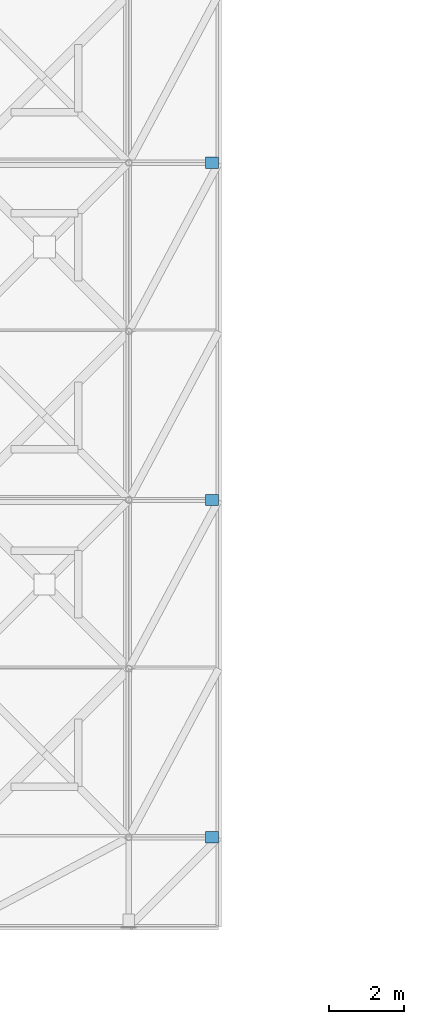
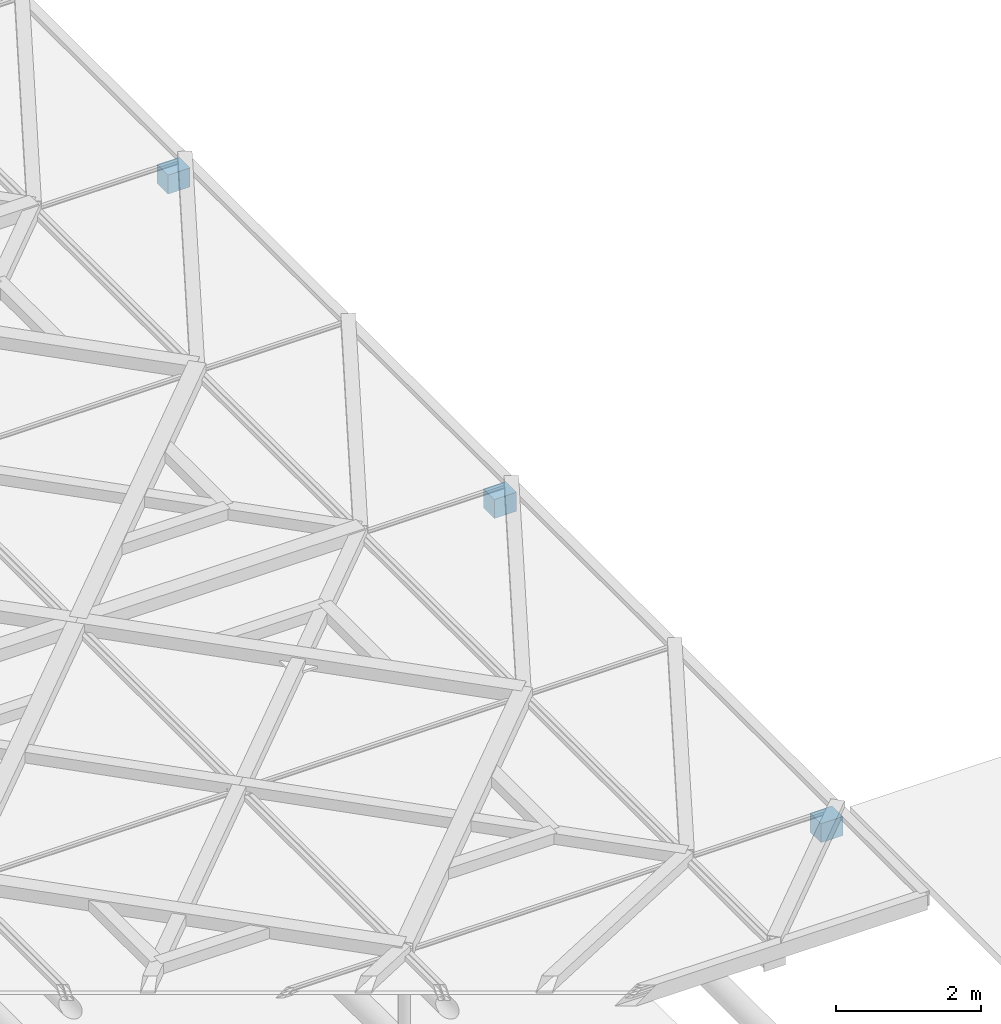
# One storey, part 76 of 80: 3 discrete accessories.
"""IFC4 building model written with IfcOpenShell, lengths in metres."""

from ifc_helpers import new_model, si_unit, direction, frame, origin, origin_2d, place, context, subcontext, project, spatial, rectangle, extrude, material, type_object, element, save


model = new_model("IFC4")

# Units and contexts
model_context = context("Model", 3, precision=1e-05, world=origin(), true_north=direction((0.0, 1.0)))
body_context = subcontext(model_context, "Body", "Model", "MODEL_VIEW")
ifc_project = project(units=[si_unit("LENGTHUNIT", "METRE"), si_unit("AREAUNIT", "SQUARE_METRE"), si_unit("VOLUMEUNIT", "CUBIC_METRE"), si_unit("PLANEANGLEUNIT", "RADIAN"), si_unit("MASSUNIT", "GRAM", prefix="KILO"), si_unit("THERMODYNAMICTEMPERATUREUNIT", "KELVIN"), si_unit("POWERUNIT", "WATT")], contexts=[model_context])

# Site, building, storey
site_placement = place(None, origin())
site = spatial("IfcSite", under=ifc_project, at=site_placement, CompositionType="ELEMENT")
building_placement = place(site_placement, origin())
building = spatial("IfcBuilding", under=site, at=building_placement, Name="Tallowbark Science Centre", CompositionType="ELEMENT")
storey_placement = place(building_placement, frame((0.0, 0.0, 25.949951171875)))
storey = spatial("IfcBuildingStorey", under=building, at=storey_placement, Name="ROOF", CompositionType="ELEMENT", Elevation=25.949951171875)

# Discrete accessories
ifc_material = material(Name="White Architectural Painted Steel Grade C350L0 (350 MPa)", Category="steel")
discrete_accessory_type = type_object("IfcDiscreteAccessoryType", Name="ACC-BRK-OUT", PredefinedType="BRACKET", material=ifc_material)
for number, where, z_axis, x_axis, name in (
    (1, (105.719970703125, 4.5, 0.0400390625), (0.0, 0.0, 1.0), (1.0, 0.0, 0.0), "Outrigger Gusset Bracket E-114"),
    (2, (105.719970703125, 13.5, 0.0400390625), (0.0, 0.0, 1.0), (1.0, 0.0, 0.0), "Outrigger Gusset Bracket E-116"),
    (3, (105.719970703125, 22.5, 0.0400390625), (0.0, 0.0, 1.0), (1.0, 0.0, 0.0), "Outrigger Gusset Bracket E-118"),
):
    element("IfcDiscreteAccessory", number, at=place(storey_placement, frame(where, z_axis=z_axis, x_axis=x_axis)), inside=storey, type_object=discrete_accessory_type, Name=name, PredefinedType="BRACKET", context=body_context, shape_type="SweptSolid", body=[
        extrude(rectangle(XDim=0.35009765625, YDim=0.300048828125, at=origin_2d()), origin(), (0.0, 0.0, 1.0), 0.320068359375),
    ])

save(model, "model.ifc")
